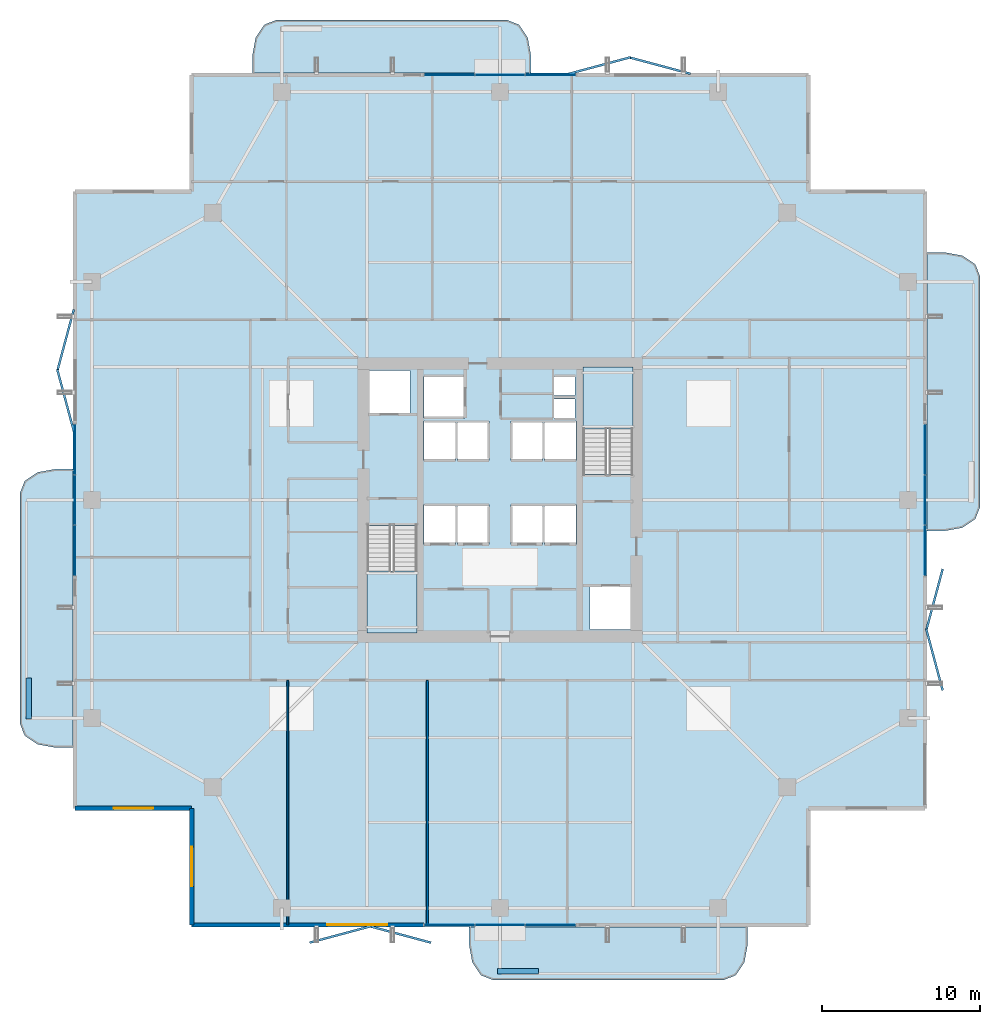
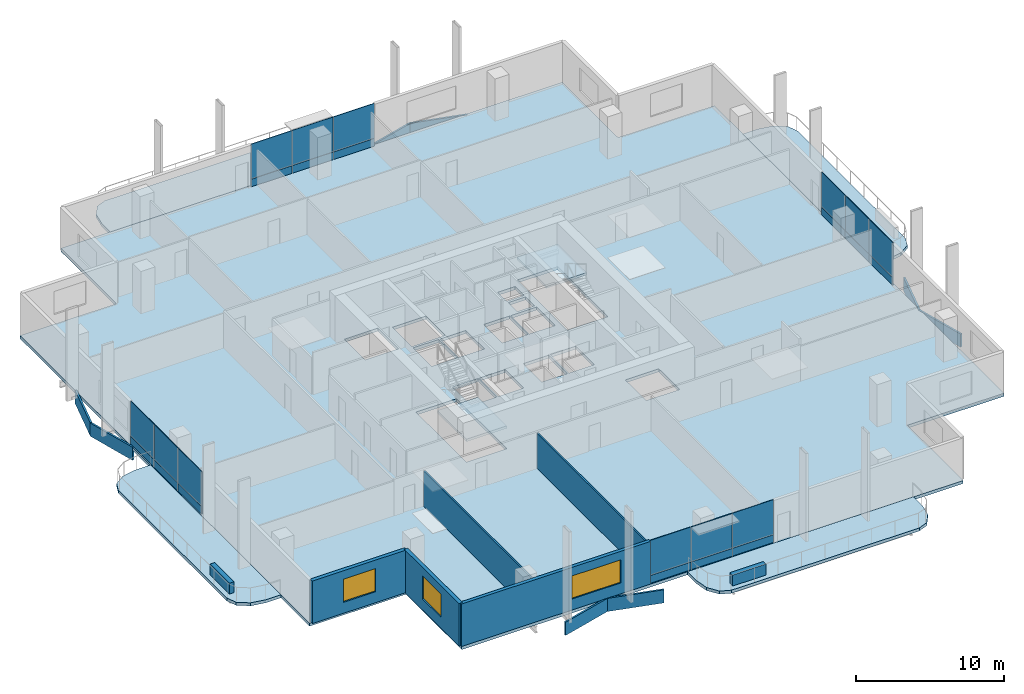
# One storey, part 16 of 24: 32 plates, 7 slabs, 7 walls, 3 windows, 3 openings, 6 elements without a shape of their own.
"""IFC4 building model written with IfcOpenShell, lengths in metres."""

from ifc_helpers import new_model, si_unit, direction, frame, frame_2d, origin, origin_2d, place, context, subcontext, project, spatial, polyline, rectangle, outline, extrude, material, layer, layer_set, type_object, element, fill, aggregate, save


model = new_model("IFC4")

# Units and contexts
model_context = context("Model", 3, precision=1e-05, world=origin(), true_north=direction((0.0, 1.0)))
body_context = subcontext(model_context, "Body", "Model", "MODEL_VIEW")
ifc_project = project(units=[si_unit("LENGTHUNIT", "METRE"), si_unit("AREAUNIT", "SQUARE_METRE"), si_unit("VOLUMEUNIT", "CUBIC_METRE"), si_unit("PLANEANGLEUNIT", "RADIAN"), si_unit("MASSUNIT", "GRAM", prefix="KILO")], contexts=[model_context])

# Site, building, storey
site_placement = place(None, origin())
site = spatial("IfcSite", under=ifc_project, at=site_placement, CompositionType="ELEMENT")
building_placement = place(site_placement, origin())
building = spatial("IfcBuilding", under=site, at=building_placement, Name="Belovzor Exchange Tower", CompositionType="ELEMENT")
storey_placement = place(building_placement, frame((0.0, 0.0, 233.699951171875)))
storey = spatial("IfcBuildingStorey", under=building, at=storey_placement, Name="L58", CompositionType="ELEMENT", Elevation=233.699951171875)

# Slab
ifc_material_1 = material(Name="Concrete C40/50", Category="concrete")
ifc_layer_1 = layer(ifc_material_1, 0.25)
ifc_layer_set_1 = layer_set([ifc_layer_1], Name="Concrete C40/50")
slab_type_1 = type_object("IfcSlabType", Name="Composite Concrete Floor Deck Slab 250", PredefinedType="FLOOR", material=ifc_layer_set_1)
slab_1_placement = place(storey_placement, frame((0.0, 0.0, -0.25)))
element("IfcSlab", 1, at=slab_1_placement, inside=storey, type_object=slab_type_1, Name="SL-F250 Structural Slab L58", PredefinedType="FLOOR", context=body_context, shape_type="SweptSolid", body=[
    extrude(outline(polyline([(9.300048828125, 1.800048828125), (48.300048828125, 1.800048828125), (48.300048828125, 9.300048828125), (55.800048828125, 9.300048828125), (55.800048828125, 48.300048828125), (48.300048828125, 48.300048828125), (48.300048828125, 55.800048828125), (9.300048828125, 55.800048828125), (9.300048828125, 48.300048828125), (1.800048828125, 48.300048828125), (1.800048828125, 9.300048828125), (9.300048828125, 9.300048828125), (9.300048828125, 1.800048828125)]), holes=[polyline([(20.39990234375, 27.175048828125), (20.39990234375, 20.39990234375), (23.550048828125, 20.39990234375), (23.550048828125, 27.175048828125), (20.39990234375, 27.175048828125)]), polyline([(37.199951171875, 30.425048828125), (37.199951171875, 37.199951171875), (34.050048828125, 37.199951171875), (34.050048828125, 30.425048828125), (37.199951171875, 30.425048828125)]), polyline([(20.5, 34.199951171875), (23.10009765625, 34.199951171875), (23.10009765625, 37.0), (20.5, 37.0), (20.5, 34.199951171875)]), polyline([(34.5, 20.60009765625), (37.10009765625, 20.60009765625), (37.10009765625, 23.39990234375), (34.5, 23.39990234375), (34.5, 20.60009765625)]), polyline([(24.0, 34.0), (26.60009765625, 34.0), (26.60009765625, 36.60009765625), (24.0, 36.60009765625), (24.0, 34.0)]), polyline([(24.0, 26.0), (26.0, 26.0), (26.0, 28.5), (24.0, 28.5), (24.0, 26.0)]), polyline([(26.10009765625, 26.0), (28.10009765625, 26.0), (28.10009765625, 28.5), (26.10009765625, 28.5), (26.10009765625, 26.0)]), polyline([(29.5, 26.0), (31.5, 26.0), (31.5, 28.5), (29.5, 28.5), (29.5, 26.0)]), polyline([(31.60009765625, 26.0), (33.60009765625, 26.0), (33.60009765625, 28.5), (31.60009765625, 28.5), (31.60009765625, 26.0)]), polyline([(24.0, 31.300048828125), (26.0, 31.300048828125), (26.0, 33.800048828125), (24.0, 33.800048828125), (24.0, 31.300048828125)]), polyline([(26.10009765625, 31.300048828125), (28.10009765625, 31.300048828125), (28.10009765625, 33.800048828125), (26.10009765625, 33.800048828125), (26.10009765625, 31.300048828125)]), polyline([(29.5, 31.300048828125), (31.5, 31.300048828125), (31.5, 33.800048828125), (29.5, 33.800048828125), (29.5, 31.300048828125)]), polyline([(31.60009765625, 31.300048828125), (33.60009765625, 31.300048828125), (33.60009765625, 33.800048828125), (31.60009765625, 33.800048828125), (31.60009765625, 31.300048828125)]), polyline([(32.199951171875, 34.0), (33.550048828125, 34.0), (33.550048828125, 35.199951171875), (32.199951171875, 35.199951171875), (32.199951171875, 34.0)]), polyline([(32.199951171875, 35.39990234375), (33.550048828125, 35.39990234375), (33.550048828125, 36.60009765625), (32.199951171875, 36.60009765625), (32.199951171875, 35.39990234375)])]), origin(), (0.0, 0.0, 1.0), 0.25),
])

# Curtain wall, plates
ifc_material_2 = material(Name="Anodised Aluminium Framing", Category="aluminium")
ifc_layer_2 = layer(ifc_material_2, 0.179931640625)
ifc_layer_set_2 = layer_set([ifc_layer_2], Name="Anodised Aluminium Framing")
curtain_wall_type = type_object("IfcCurtainWallType", Name="Recessed Loggia Low-Iron Triple-Glazed Curtain Wall", PredefinedType="NOTDEFINED", material=ifc_layer_set_2)
curtain_wall_1_placement = place(storey_placement, origin())
curtain_wall_1 = element("IfcCurtainWall", 2, at=curtain_wall_1_placement, inside=storey, type_object=curtain_wall_type, Name="CW3 Recessed Loggia Low-Iron Triple-Glazed Curtain Wall L58", PredefinedType="NOTDEFINED")
ifc_material_3 = material(Name="Solar-Control Triple Glazing", Category="glass")
ifc_layer_3 = layer(ifc_material_3, 0.0439453125)
ifc_layer_set_3 = layer_set([ifc_layer_3], Name="Solar-Control Triple Glazing")
plate_type_1 = type_object("IfcPlateType", Name="Insulated Solar Glazing Curtain Panel 44", PredefinedType="CURTAIN_PANEL", material=ifc_layer_set_3)
plate_1_placement = place(storey_placement, frame((32.0, 1.929931640625, 0.63232421875), z_axis=(0.0, 0.0, 1.0), x_axis=(-1.0, 0.0, 0.0)))
plate_1 = element("IfcPlate", 3, at=plate_1_placement, type_object=plate_type_1, Name="GLZ-44 Glazed Curtain Panel 1", PredefinedType="CURTAIN_PANEL", context=body_context, shape_type="SweptSolid", body=[
    extrude(rectangle(XDim=3.18408203125, YDim=0.0439453125, at=origin_2d()), origin(), (0.0, 0.0, 1.0), 2.867919921875),
])
plate_2_placement = place(storey_placement, frame((28.800048828125, 1.929931640625, 0.63232421875), z_axis=(0.0, 0.0, 1.0), x_axis=(-1.0, 0.0, 0.0)))
plate_2 = element("IfcPlate", 4, at=plate_2_placement, type_object=plate_type_1, Name="GLZ-44 Glazed Curtain Panel 2", PredefinedType="CURTAIN_PANEL", context=body_context, shape_type="SweptSolid", body=[
    extrude(rectangle(XDim=3.18408203125, YDim=0.0439453125, at=origin_2d()), origin(), (0.0, 0.0, 1.0), 2.867919921875),
])
plate_3_placement = place(storey_placement, frame((25.60009765625, 1.929931640625, 0.63232421875), z_axis=(0.0, 0.0, 1.0), x_axis=(-1.0, 0.0, 0.0)))
plate_3 = element("IfcPlate", 5, at=plate_3_placement, type_object=plate_type_1, Name="GLZ-44 Glazed Curtain Panel 3", PredefinedType="CURTAIN_PANEL", context=body_context, shape_type="SweptSolid", body=[
    extrude(rectangle(XDim=3.18408203125, YDim=0.0439453125, at=origin_2d()), origin(), (0.0, 0.0, 1.0), 2.867919921875),
])

curtain_wall_2_placement = place(storey_placement, origin())
curtain_wall_2 = element("IfcCurtainWall", 6, at=curtain_wall_2_placement, inside=storey, type_object=curtain_wall_type, Name="CW3 Recessed Loggia Low-Iron Triple-Glazed Curtain Wall L58", PredefinedType="NOTDEFINED")
plate_4_placement = place(storey_placement, frame((25.60009765625, 55.669921875, 0.63232421875), z_axis=(0.0, 0.0, 1.0), x_axis=(1.0, 0.0, 0.0)))
plate_4 = element("IfcPlate", 7, at=plate_4_placement, type_object=plate_type_1, Name="GLZ-44 Glazed Curtain Panel 1", PredefinedType="CURTAIN_PANEL", context=body_context, shape_type="SweptSolid", body=[
    extrude(rectangle(XDim=3.18408203125, YDim=0.0439453125, at=origin_2d()), origin(), (0.0, 0.0, 1.0), 2.867919921875),
])
plate_5_placement = place(storey_placement, frame((28.800048828125, 55.669921875, 0.63232421875), z_axis=(0.0, 0.0, 1.0), x_axis=(1.0, 0.0, 0.0)))
plate_5 = element("IfcPlate", 8, at=plate_5_placement, type_object=plate_type_1, Name="GLZ-44 Glazed Curtain Panel 2", PredefinedType="CURTAIN_PANEL", context=body_context, shape_type="SweptSolid", body=[
    extrude(rectangle(XDim=3.18408203125, YDim=0.0439453125, at=origin_2d()), origin(), (0.0, 0.0, 1.0), 2.867919921875),
])
plate_6_placement = place(storey_placement, frame((32.0, 55.669921875, 0.63232421875), z_axis=(0.0, 0.0, 1.0), x_axis=(1.0, 0.0, 0.0)))
plate_6 = element("IfcPlate", 9, at=plate_6_placement, type_object=plate_type_1, Name="GLZ-44 Glazed Curtain Panel 3", PredefinedType="CURTAIN_PANEL", context=body_context, shape_type="SweptSolid", body=[
    extrude(rectangle(XDim=3.18408203125, YDim=0.0439453125, at=origin_2d()), origin(), (0.0, 0.0, 1.0), 2.867919921875),
])

curtain_wall_3_placement = place(storey_placement, origin())
curtain_wall_3 = element("IfcCurtainWall", 10, at=curtain_wall_3_placement, inside=storey, type_object=curtain_wall_type, Name="CW3 Recessed Loggia Low-Iron Triple-Glazed Curtain Wall L58", PredefinedType="NOTDEFINED")
plate_7_placement = place(storey_placement, frame((1.929931640625, 25.60009765625, 0.63232421875), z_axis=(0.0, 0.0, 1.0), x_axis=(0.0, 1.0, 0.0)))
plate_7 = element("IfcPlate", 11, at=plate_7_placement, type_object=plate_type_1, Name="GLZ-44 Glazed Curtain Panel 1", PredefinedType="CURTAIN_PANEL", context=body_context, shape_type="SweptSolid", body=[
    extrude(rectangle(XDim=3.18408203125, YDim=0.0439453125, at=origin_2d()), origin(), (0.0, 0.0, 1.0), 2.867919921875),
])
plate_8_placement = place(storey_placement, frame((1.929931640625, 28.800048828125, 0.63232421875), z_axis=(0.0, 0.0, 1.0), x_axis=(0.0, 1.0, 0.0)))
plate_8 = element("IfcPlate", 12, at=plate_8_placement, type_object=plate_type_1, Name="GLZ-44 Glazed Curtain Panel 2", PredefinedType="CURTAIN_PANEL", context=body_context, shape_type="SweptSolid", body=[
    extrude(rectangle(XDim=3.18408203125, YDim=0.0439453125, at=origin_2d()), origin(), (0.0, 0.0, 1.0), 2.867919921875),
])
plate_9_placement = place(storey_placement, frame((1.929931640625, 32.0, 0.63232421875), z_axis=(0.0, 0.0, 1.0), x_axis=(0.0, 1.0, 0.0)))
plate_9 = element("IfcPlate", 13, at=plate_9_placement, type_object=plate_type_1, Name="GLZ-44 Glazed Curtain Panel 3", PredefinedType="CURTAIN_PANEL", context=body_context, shape_type="SweptSolid", body=[
    extrude(rectangle(XDim=3.18408203125, YDim=0.0439453125, at=origin_2d()), origin(), (0.0, 0.0, 1.0), 2.867919921875),
])

curtain_wall_4_placement = place(storey_placement, origin())
curtain_wall_4 = element("IfcCurtainWall", 14, at=curtain_wall_4_placement, inside=storey, type_object=curtain_wall_type, Name="CW3 Recessed Loggia Low-Iron Triple-Glazed Curtain Wall L58", PredefinedType="NOTDEFINED")
plate_10_placement = place(storey_placement, frame((55.669921875, 32.0, 0.63232421875), z_axis=(0.0, 0.0, 1.0), x_axis=(0.0, -1.0, 0.0)))
plate_10 = element("IfcPlate", 15, at=plate_10_placement, type_object=plate_type_1, Name="GLZ-44 Glazed Curtain Panel 1", PredefinedType="CURTAIN_PANEL", context=body_context, shape_type="SweptSolid", body=[
    extrude(rectangle(XDim=3.18408203125, YDim=0.0439453125, at=origin_2d()), origin(), (0.0, 0.0, 1.0), 2.867919921875),
])
plate_11_placement = place(storey_placement, frame((55.669921875, 28.800048828125, 0.63232421875), z_axis=(0.0, 0.0, 1.0), x_axis=(0.0, -1.0, 0.0)))
plate_11 = element("IfcPlate", 16, at=plate_11_placement, type_object=plate_type_1, Name="GLZ-44 Glazed Curtain Panel 2", PredefinedType="CURTAIN_PANEL", context=body_context, shape_type="SweptSolid", body=[
    extrude(rectangle(XDim=3.18408203125, YDim=0.0439453125, at=origin_2d()), origin(), (0.0, 0.0, 1.0), 2.867919921875),
])
plate_12_placement = place(storey_placement, frame((55.669921875, 25.60009765625, 0.63232421875), z_axis=(0.0, 0.0, 1.0), x_axis=(0.0, -1.0, 0.0)))
plate_12 = element("IfcPlate", 17, at=plate_12_placement, type_object=plate_type_1, Name="GLZ-44 Glazed Curtain Panel 3", PredefinedType="CURTAIN_PANEL", context=body_context, shape_type="SweptSolid", body=[
    extrude(rectangle(XDim=3.18408203125, YDim=0.0439453125, at=origin_2d()), origin(), (0.0, 0.0, 1.0), 2.867919921875),
])

# Plates
ifc_material_4 = material(Name="Extruded Architectural Terracotta", Category="masonry")
ifc_layer_4 = layer(ifc_material_4, 0.139892578125)
ifc_layer_set_4 = layer_set([ifc_layer_4], Name="Extruded Architectural Terracotta")
plate_type_2 = type_object("IfcPlateType", Name="Mid-Tower Folded Zigzag Terracotta Spandrel Louvre 120", PredefinedType="USERDEFINED", material=ifc_layer_set_4)
for number, where, z_axis, x_axis, name in (
    (18, (18.699951171875, 1.330078125, -1.06494140625), (0.0, 0.0, 1.0), (0.965812803231, 0.259240485101, 0.0), "LVR-ZZ2 Zigzag Terracotta Spandrel Louvre L58 S1A"),
    (19, (22.5, 1.330078125, -1.06494140625), (0.0, 0.0, 1.0), (0.965812803231, -0.259240485101, 0.0), "LVR-ZZ2 Zigzag Terracotta Spandrel Louvre L58 S1B"),
    (20, (56.27001953125, 18.699951171875, -1.06494140625), (0.0, 0.0, 1.0), (-0.259240485101, 0.965812803231, 0.0), "LVR-ZZ2 Zigzag Terracotta Spandrel Louvre L58 E1A"),
    (21, (56.27001953125, 22.5, -1.06494140625), (0.0, 0.0, 1.0), (0.259240485101, 0.965812803231, 0.0), "LVR-ZZ2 Zigzag Terracotta Spandrel Louvre L58 E1B"),
    (22, (35.10009765625, 56.27001953125, -1.06494140625), (0.0, 0.0, 1.0), (0.965812803231, 0.259240485101, 0.0), "LVR-ZZ2 Zigzag Terracotta Spandrel Louvre L58 N2A"),
    (23, (38.89990234375, 56.27001953125, -1.06494140625), (0.0, 0.0, 1.0), (0.965812803231, -0.259240485101, 0.0), "LVR-ZZ2 Zigzag Terracotta Spandrel Louvre L58 N2B"),
    (24, (1.330078125, 35.10009765625, -1.06494140625), (0.0, 0.0, 1.0), (-0.259240485101, 0.965812803231, 0.0), "LVR-ZZ2 Zigzag Terracotta Spandrel Louvre L58 W2A"),
    (25, (1.330078125, 38.89990234375, -1.06494140625), (0.0, 0.0, 1.0), (0.259240485101, 0.965812803231, 0.0), "LVR-ZZ2 Zigzag Terracotta Spandrel Louvre L58 W2B"),
):
    element("IfcPlate", number, at=place(storey_placement, frame(where, z_axis=z_axis, x_axis=x_axis)), inside=storey, type_object=plate_type_2, Name=name, ObjectType="SPANDREL_LOUVRE", PredefinedType="USERDEFINED", context=body_context, shape_type="SweptSolid", body=[
        extrude(rectangle(XDim=4.014892578125, YDim=0.139892578125, at=origin_2d()), origin(), (0.0, 0.0, 1.0), 1.080078125),
    ])

# Stair, slab
ifc_material_5 = material(Name="Concrete C40/50", Category="concrete")
stair_type = type_object("IfcStairType", Name="Reinforced Concrete Dogleg Escape Stair 1350", PredefinedType="HALF_TURN_STAIR", material=ifc_material_5)
stair_1_placement = place(storey_placement, origin())
stair_1 = element("IfcStair", 26, at=stair_1_placement, inside=storey, type_object=stair_type, Name="L58 ST-1", PredefinedType="HALF_TURN_STAIR")
ifc_material_6 = material(Name="Concrete C40/50", Category="concrete")
ifc_layer_5 = layer(ifc_material_6, 0.199951171875)
ifc_layer_set_5 = layer_set([ifc_layer_5], Name="Concrete C40/50")
slab_type_2 = type_object("IfcSlabType", Name="Reinforced Concrete Stair Half-Landing Slab 200", PredefinedType="LANDING", material=ifc_layer_set_5)
slab_2_placement = place(storey_placement, frame((0.0, 0.0, 1.675048828125)))
slab_2 = element("IfcSlab", 27, at=slab_2_placement, type_object=slab_type_2, Name="ST-1 landing 1", PredefinedType="LANDING", context=body_context, shape_type="SweptSolid", body=[
    extrude(outline(polyline([(20.39990234375, 24.300048828125), (20.39990234375, 20.39990234375), (23.550048828125, 20.39990234375), (23.550048828125, 24.300048828125), (20.39990234375, 24.300048828125)])), origin(), (0.0, 0.0, 1.0), 0.199951171875),
])
aggregate(stair_1, [slab_2])

stair_2_placement = place(storey_placement, origin())
stair_2 = element("IfcStair", 28, at=stair_2_placement, inside=storey, type_object=stair_type, Name="L58 ST-2", PredefinedType="HALF_TURN_STAIR")
slab_3_placement = place(storey_placement, frame((0.0, 0.0, 1.675048828125)))
slab_3 = element("IfcSlab", 29, at=slab_3_placement, type_object=slab_type_2, Name="ST-2 landing 1", PredefinedType="LANDING", context=body_context, shape_type="SweptSolid", body=[
    extrude(outline(polyline([(37.199951171875, 33.300048828125), (37.199951171875, 37.199951171875), (34.050048828125, 37.199951171875), (34.050048828125, 33.300048828125), (37.199951171875, 33.300048828125)])), origin(), (0.0, 0.0, 1.0), 0.199951171875),
])
aggregate(stair_2, [slab_3])

# Plate
ifc_material_7 = material(Name="Extruded Architectural Terracotta", Category="masonry")
ifc_layer_6 = layer(ifc_material_7, 0.090087890625)
ifc_layer_set_6 = layer_set([ifc_layer_6], Name="Extruded Architectural Terracotta")
plate_type_3 = type_object("IfcPlateType", Name="Terracotta Shadow-Box Spandrel Panel 90", PredefinedType="CURTAIN_PANEL", material=ifc_layer_set_6)
plate_13_placement = place(storey_placement, frame((32.0, 1.929931640625, 0.0), z_axis=(0.0, 0.0, 1.0), x_axis=(-1.0, 0.0, 0.0)))
plate_13 = element("IfcPlate", 30, at=plate_13_placement, type_object=plate_type_3, Name="SPD-90 Spandrel Panel 1", PredefinedType="CURTAIN_PANEL", context=body_context, shape_type="SweptSolid", body=[
    extrude(rectangle(XDim=3.18408203125, YDim=0.090087890625, at=origin_2d()), origin(), (0.0, 0.0, 1.0), 0.6279296875),
])

plate_14_placement = place(storey_placement, frame((28.800048828125, 1.929931640625, 0.0), z_axis=(0.0, 0.0, 1.0), x_axis=(-1.0, 0.0, 0.0)))
plate_14 = element("IfcPlate", 31, at=plate_14_placement, type_object=plate_type_3, Name="SPD-90 Spandrel Panel 2", PredefinedType="CURTAIN_PANEL", context=body_context, shape_type="SweptSolid", body=[
    extrude(rectangle(XDim=3.18408203125, YDim=0.090087890625, at=origin_2d()), origin(), (0.0, 0.0, 1.0), 0.6279296875),
])

plate_15_placement = place(storey_placement, frame((25.60009765625, 1.929931640625, 0.0), z_axis=(0.0, 0.0, 1.0), x_axis=(-1.0, 0.0, 0.0)))
plate_15 = element("IfcPlate", 32, at=plate_15_placement, type_object=plate_type_3, Name="SPD-90 Spandrel Panel 3", PredefinedType="CURTAIN_PANEL", context=body_context, shape_type="SweptSolid", body=[
    extrude(rectangle(XDim=3.18408203125, YDim=0.090087890625, at=origin_2d()), origin(), (0.0, 0.0, 1.0), 0.6279296875),
])

aggregate(curtain_wall_1, [plate_13, plate_1, plate_14, plate_2, plate_15, plate_3])

plate_16_placement = place(storey_placement, frame((25.60009765625, 55.669921875, 0.0), z_axis=(0.0, 0.0, 1.0), x_axis=(1.0, 0.0, 0.0)))
plate_16 = element("IfcPlate", 33, at=plate_16_placement, type_object=plate_type_3, Name="SPD-90 Spandrel Panel 1", PredefinedType="CURTAIN_PANEL", context=body_context, shape_type="SweptSolid", body=[
    extrude(rectangle(XDim=3.18408203125, YDim=0.090087890625, at=origin_2d()), origin(), (0.0, 0.0, 1.0), 0.6279296875),
])

plate_17_placement = place(storey_placement, frame((28.800048828125, 55.669921875, 0.0), z_axis=(0.0, 0.0, 1.0), x_axis=(1.0, 0.0, 0.0)))
plate_17 = element("IfcPlate", 34, at=plate_17_placement, type_object=plate_type_3, Name="SPD-90 Spandrel Panel 2", PredefinedType="CURTAIN_PANEL", context=body_context, shape_type="SweptSolid", body=[
    extrude(rectangle(XDim=3.18408203125, YDim=0.090087890625, at=origin_2d()), origin(), (0.0, 0.0, 1.0), 0.6279296875),
])

plate_18_placement = place(storey_placement, frame((32.0, 55.669921875, 0.0), z_axis=(0.0, 0.0, 1.0), x_axis=(1.0, 0.0, 0.0)))
plate_18 = element("IfcPlate", 35, at=plate_18_placement, type_object=plate_type_3, Name="SPD-90 Spandrel Panel 3", PredefinedType="CURTAIN_PANEL", context=body_context, shape_type="SweptSolid", body=[
    extrude(rectangle(XDim=3.18408203125, YDim=0.090087890625, at=origin_2d()), origin(), (0.0, 0.0, 1.0), 0.6279296875),
])

aggregate(curtain_wall_2, [plate_16, plate_4, plate_17, plate_5, plate_18, plate_6])

plate_19_placement = place(storey_placement, frame((1.929931640625, 25.60009765625, 0.0), z_axis=(0.0, 0.0, 1.0), x_axis=(0.0, 1.0, 0.0)))
plate_19 = element("IfcPlate", 36, at=plate_19_placement, type_object=plate_type_3, Name="SPD-90 Spandrel Panel 1", PredefinedType="CURTAIN_PANEL", context=body_context, shape_type="SweptSolid", body=[
    extrude(rectangle(XDim=3.18408203125, YDim=0.090087890625, at=origin_2d()), origin(), (0.0, 0.0, 1.0), 0.6279296875),
])

plate_20_placement = place(storey_placement, frame((1.929931640625, 28.800048828125, 0.0), z_axis=(0.0, 0.0, 1.0), x_axis=(0.0, 1.0, 0.0)))
plate_20 = element("IfcPlate", 37, at=plate_20_placement, type_object=plate_type_3, Name="SPD-90 Spandrel Panel 2", PredefinedType="CURTAIN_PANEL", context=body_context, shape_type="SweptSolid", body=[
    extrude(rectangle(XDim=3.18408203125, YDim=0.090087890625, at=origin_2d()), origin(), (0.0, 0.0, 1.0), 0.6279296875),
])

plate_21_placement = place(storey_placement, frame((1.929931640625, 32.0, 0.0), z_axis=(0.0, 0.0, 1.0), x_axis=(0.0, 1.0, 0.0)))
plate_21 = element("IfcPlate", 38, at=plate_21_placement, type_object=plate_type_3, Name="SPD-90 Spandrel Panel 3", PredefinedType="CURTAIN_PANEL", context=body_context, shape_type="SweptSolid", body=[
    extrude(rectangle(XDim=3.18408203125, YDim=0.090087890625, at=origin_2d()), origin(), (0.0, 0.0, 1.0), 0.6279296875),
])

aggregate(curtain_wall_3, [plate_19, plate_7, plate_20, plate_8, plate_21, plate_9])

plate_22_placement = place(storey_placement, frame((55.669921875, 32.0, 0.0), z_axis=(0.0, 0.0, 1.0), x_axis=(0.0, -1.0, 0.0)))
plate_22 = element("IfcPlate", 39, at=plate_22_placement, type_object=plate_type_3, Name="SPD-90 Spandrel Panel 1", PredefinedType="CURTAIN_PANEL", context=body_context, shape_type="SweptSolid", body=[
    extrude(rectangle(XDim=3.18408203125, YDim=0.090087890625, at=origin_2d()), origin(), (0.0, 0.0, 1.0), 0.6279296875),
])

plate_23_placement = place(storey_placement, frame((55.669921875, 28.800048828125, 0.0), z_axis=(0.0, 0.0, 1.0), x_axis=(0.0, -1.0, 0.0)))
plate_23 = element("IfcPlate", 40, at=plate_23_placement, type_object=plate_type_3, Name="SPD-90 Spandrel Panel 2", PredefinedType="CURTAIN_PANEL", context=body_context, shape_type="SweptSolid", body=[
    extrude(rectangle(XDim=3.18408203125, YDim=0.090087890625, at=origin_2d()), origin(), (0.0, 0.0, 1.0), 0.6279296875),
])

plate_24_placement = place(storey_placement, frame((55.669921875, 25.60009765625, 0.0), z_axis=(0.0, 0.0, 1.0), x_axis=(0.0, -1.0, 0.0)))
plate_24 = element("IfcPlate", 41, at=plate_24_placement, type_object=plate_type_3, Name="SPD-90 Spandrel Panel 3", PredefinedType="CURTAIN_PANEL", context=body_context, shape_type="SweptSolid", body=[
    extrude(rectangle(XDim=3.18408203125, YDim=0.090087890625, at=origin_2d()), origin(), (0.0, 0.0, 1.0), 0.6279296875),
])

aggregate(curtain_wall_4, [plate_22, plate_10, plate_23, plate_11, plate_24, plate_12])

# Slabs
ifc_material_8 = material(Name="Concrete C40/50", Category="concrete")
ifc_layer_7 = layer(ifc_material_8, 0.25)
ifc_layer_set_7 = layer_set([ifc_layer_7], Name="Concrete C40/50")
slab_type_3 = type_object("IfcSlabType", Name="Thermally Broken Planted Balcony Slab 250", PredefinedType="FLOOR", material=ifc_layer_set_7)
slab_4_placement = place(storey_placement, frame((0.0, 0.0, -0.25)))
element("IfcSlab", 42, at=slab_4_placement, inside=storey, type_object=slab_type_3, Name="SL-BAL220 Planted Balcony Loggia L58 South", PredefinedType="FLOOR", context=body_context, shape_type="SweptSolid", body=[
    extrude(outline(polyline([(26.85009765625, 1.81494140625), (26.85009765625, 0.64990234375), (27.051025390625, -0.449951171875), (27.60009765625, -1.2548828125), (28.35009765625, -1.550048828125), (42.949951171875, -1.550048828125), (43.699951171875, -1.2548828125), (44.2490234375, -0.449951171875), (44.449951171875, 0.64990234375), (44.449951171875, 1.81494140625), (26.85009765625, 1.81494140625)])), origin(), (0.0, 0.0, 1.0), 0.25),
])
slab_5_placement = place(storey_placement, frame((0.0, 0.0, -0.25)))
element("IfcSlab", 43, at=slab_5_placement, inside=storey, type_object=slab_type_3, Name="SL-BAL220 Planted Balcony Loggia L58 North", PredefinedType="FLOOR", context=body_context, shape_type="SweptSolid", body=[
    extrude(outline(polyline([(30.75, 55.784912109375), (30.75, 56.949951171875), (30.549072265625, 58.050048828125), (30.0, 58.85498046875), (29.25, 59.14990234375), (14.64990234375, 59.14990234375), (13.89990234375, 58.85498046875), (13.35107421875, 58.050048828125), (13.14990234375, 56.949951171875), (13.14990234375, 55.784912109375), (30.75, 55.784912109375)])), origin(), (0.0, 0.0, 1.0), 0.25),
])
slab_6_placement = place(storey_placement, frame((0.0, 0.0, -0.25)))
element("IfcSlab", 44, at=slab_6_placement, inside=storey, type_object=slab_type_3, Name="SL-BAL220 Planted Balcony Loggia L58 East", PredefinedType="FLOOR", context=body_context, shape_type="SweptSolid", body=[
    extrude(outline(polyline([(55.784912109375, 26.85009765625), (56.949951171875, 26.85009765625), (58.050048828125, 27.051025390625), (58.85498046875, 27.60009765625), (59.14990234375, 28.35009765625), (59.14990234375, 42.949951171875), (58.85498046875, 43.699951171875), (58.050048828125, 44.2490234375), (56.949951171875, 44.449951171875), (55.784912109375, 44.449951171875), (55.784912109375, 26.85009765625)])), origin(), (0.0, 0.0, 1.0), 0.25),
])
slab_7_placement = place(storey_placement, frame((0.0, 0.0, -0.25)))
element("IfcSlab", 45, at=slab_7_placement, inside=storey, type_object=slab_type_3, Name="SL-BAL220 Planted Balcony Loggia L58 West", PredefinedType="FLOOR", context=body_context, shape_type="SweptSolid", body=[
    extrude(outline(polyline([(1.81494140625, 30.75), (0.64990234375, 30.75), (-0.449951171875, 30.549072265625), (-1.2548828125, 30.0), (-1.550048828125, 29.25), (-1.550048828125, 14.64990234375), (-1.2548828125, 13.89990234375), (-0.449951171875, 13.35107421875), (0.64990234375, 13.14990234375), (1.81494140625, 13.14990234375), (1.81494140625, 30.75)])), origin(), (0.0, 0.0, 1.0), 0.25),
])

# Walls
ifc_material_9 = material(Name="Acoustic Plasterboard on Galvanised Studs", Category="gypsum")
ifc_layer_8 = layer(ifc_material_9, 0.1201171875)
ifc_layer_set_8 = layer_set([ifc_layer_8], Name="Acoustic Plasterboard on Galvanised Studs")
wall_type_1 = type_object("IfcWallType", Name="Acoustic Double-Stud Partition Wall 120", PredefinedType="PARTITIONING", material=ifc_layer_set_8)
for number, where, z_axis, x_axis, name in (
    (46, (15.3779296875, 1.929931640625, 0.0), (0.0, 0.0, 1.0), (0.0, 1.0, 0.0), "W-P120 Partition Wall W-L58-SDIV-1"),
    (47, (24.208984375, 1.929931640625, 0.0), (0.0, 0.0, 1.0), (0.0, 1.0, 0.0), "W-P120 Partition Wall W-L58-SDIV-2"),
):
    element("IfcWall", number, at=place(storey_placement, frame(where, z_axis=z_axis, x_axis=x_axis)), inside=storey, type_object=wall_type_1, Name=name, PredefinedType="PARTITIONING", context=body_context, shape_type="SweptSolid", body=[
        extrude(rectangle(XDim=15.469970703125, YDim=0.1201171875, at=frame_2d((7.73486328125, 0.0))), origin(), (0.0, 0.0, 1.0), 2.885009765625),
    ])

# Wall, opening, window
ifc_material_10 = material(Name="Precast concrete C40/50", Category="concrete")
ifc_layer_9 = layer(ifc_material_10, 0.280029296875)
ifc_layer_set_9 = layer_set([ifc_layer_9], Name="Precast concrete C40/50")
wall_type_2 = type_object("IfcWallType", Name="Precast Concrete Notched Corner Frame Wall 280", PredefinedType="SOLIDWALL", material=ifc_layer_set_9)
wall_1_placement = place(storey_placement, frame((9.300048828125, 1.929931640625, 0.0), z_axis=(0.0, 0.0, 1.0), x_axis=(0.0, 1.0, 0.0)))
wall_1 = element("IfcWall", 48, at=wall_1_placement, inside=storey, type_object=wall_type_2, Name="W-CRN280 Precast Concrete Notched Corner Frame Wall 280 L58", PredefinedType="SOLIDWALL", context=body_context, shape_type="SweptSolid", body=[
    extrude(rectangle(XDim=7.3701171875, YDim=0.280029296875, at=frame_2d((3.68505859375, 0.0))), origin(), (0.0, 0.0, 1.0), 3.5),
])
opening_1_placement = place(wall_1_placement, frame((2.43505859375, 0.0, 0.89990234375)))
opening_1 = element("IfcOpeningElement", 49, at=opening_1_placement, cuts=wall_1, Name="Opening WN-CRN250", PredefinedType="OPENING", context=body_context, shape_type="SweptSolid", body=[
    extrude(rectangle(XDim=2.5, YDim=1.89990234375, at=frame_2d((1.25, 0.949951171875))), frame((0.0, 0.14990234375, 0.0), z_axis=(0.0, -1.0, 0.0), x_axis=(1.0, 0.0, 0.0)), (0.0, 0.0, 1.0), 0.300048828125),
])
ifc_material_11 = material(Name="Thermally Broken Aluminium and Triple Glazing", Category="aluminium")
window_type_1 = type_object("IfcWindowType", Name="Streamline Moderne Corner Wrap Ribbon Window 2500x1900", PartitioningType="SINGLE_PANEL", PredefinedType="WINDOW", material=ifc_material_11)
window_1_placement = place(opening_1_placement, origin())
window_1 = element("IfcWindow", 50, at=window_1_placement, inside=storey, type_object=window_type_1, Name="WN-CRN250 Streamline Moderne Corner Wrap Ribbon Window 2500x1900", OverallHeight=1.89990234375, OverallWidth=2.5, PartitioningType="SINGLE_PANEL", PredefinedType="WINDOW", context=body_context, shape_type="SweptSolid", body=[
    extrude(rectangle(XDim=2.5, YDim=1.89990234375, at=frame_2d((1.25, 0.949951171875))), frame((0.0, 0.030029296875, 0.0), z_axis=(0.0, -1.0, 0.0), x_axis=(1.0, 0.0, 0.0)), (0.0, 0.0, 1.0), 0.06005859375),
])
fill(opening_1, window_1)

wall_2_placement = place(storey_placement, frame((9.300048828125, 9.300048828125, 0.0), z_axis=(0.0, 0.0, 1.0), x_axis=(-1.0, 0.0, 0.0)))
wall_2 = element("IfcWall", 51, at=wall_2_placement, inside=storey, type_object=wall_type_2, Name="W-CRN280 Precast Concrete Notched Corner Frame Wall 280 L58", PredefinedType="SOLIDWALL", context=body_context, shape_type="SweptSolid", body=[
    extrude(rectangle(XDim=7.3701171875, YDim=0.280029296875, at=frame_2d((3.68505859375, 0.0))), origin(), (0.0, 0.0, 1.0), 3.5),
])
opening_2_placement = place(wall_2_placement, frame((2.43505859375, 0.0, 0.89990234375)))
opening_2 = element("IfcOpeningElement", 52, at=opening_2_placement, cuts=wall_2, Name="Opening WN-CRN250", PredefinedType="OPENING", context=body_context, shape_type="SweptSolid", body=[
    extrude(rectangle(XDim=2.5, YDim=1.89990234375, at=frame_2d((1.25, 0.949951171875))), frame((0.0, 0.14990234375, 0.0), z_axis=(0.0, -1.0, 0.0), x_axis=(1.0, 0.0, 0.0)), (0.0, 0.0, 1.0), 0.300048828125),
])
window_2_placement = place(opening_2_placement, origin())
window_2 = element("IfcWindow", 53, at=window_2_placement, inside=storey, type_object=window_type_1, Name="WN-CRN250 Streamline Moderne Corner Wrap Ribbon Window 2500x1900", OverallHeight=1.89990234375, OverallWidth=2.5, PartitioningType="SINGLE_PANEL", PredefinedType="WINDOW", context=body_context, shape_type="SweptSolid", body=[
    extrude(rectangle(XDim=2.5, YDim=1.89990234375, at=frame_2d((1.25, 0.949951171875))), frame((0.0, 0.030029296875, 0.0), z_axis=(0.0, -1.0, 0.0), x_axis=(1.0, 0.0, 0.0)), (0.0, 0.0, 1.0), 0.06005859375),
])
fill(opening_2, window_2)

ifc_material_12 = material(Name="Precast concrete C40/50", Category="concrete")
ifc_layer_10 = layer(ifc_material_12, 0.260009765625)
ifc_layer_set_10 = layer_set([ifc_layer_10], Name="Precast concrete C40/50")
wall_type_3 = type_object("IfcWallType", Name="Precast Concrete Perimeter Loggia Frame Wall 260", PredefinedType="SOLIDWALL", material=ifc_layer_set_10)
wall_3_placement = place(storey_placement, frame((24.0, 1.929931640625, 0.0), z_axis=(0.0, 0.0, 1.0), x_axis=(-1.0, 0.0, 0.0)))
wall_3 = element("IfcWall", 54, at=wall_3_placement, inside=storey, type_object=wall_type_3, Name="W-EXT260 Precast Concrete Perimeter Loggia Frame Wall 260 L58", PredefinedType="SOLIDWALL", context=body_context, shape_type="SweptSolid", body=[
    extrude(rectangle(XDim=14.699951171875, YDim=0.260009765625, at=frame_2d((7.35009765625, 0.0))), origin(), (0.0, 0.0, 1.0), 3.5),
])
opening_3_placement = place(wall_3_placement, frame((2.330078125, 0.0, 0.89990234375)))
opening_3 = element("IfcOpeningElement", 55, at=opening_3_placement, cuts=wall_3, Name="Opening WN-RIB380", PredefinedType="OPENING", context=body_context, shape_type="SweptSolid", body=[
    extrude(rectangle(XDim=3.800048828125, YDim=1.89990234375, at=frame_2d((1.89990234375, 0.949951171875))), frame((0.0, 0.139892578125, 0.0), z_axis=(0.0, -1.0, 0.0), x_axis=(1.0, 0.0, 0.0)), (0.0, 0.0, 1.0), 0.280029296875),
])
ifc_material_13 = material(Name="Thermally Broken Aluminium and Triple Glazing", Category="aluminium")
window_type_2 = type_object("IfcWindowType", Name="Streamline Moderne Horizontal Ribbon Window 3800x1900", PartitioningType="SINGLE_PANEL", PredefinedType="WINDOW", material=ifc_material_13)
window_3_placement = place(opening_3_placement, origin())
window_3 = element("IfcWindow", 56, at=window_3_placement, inside=storey, type_object=window_type_2, Name="WN-RIB380 Streamline Moderne Horizontal Ribbon Window 3800x1900", OverallHeight=1.89990234375, OverallWidth=3.800048828125, PartitioningType="SINGLE_PANEL", PredefinedType="WINDOW", context=body_context, shape_type="SweptSolid", body=[
    extrude(rectangle(XDim=3.800048828125, YDim=1.89990234375, at=frame_2d((1.89990234375, 0.949951171875))), frame((0.0, 0.030029296875, 0.0), z_axis=(0.0, -1.0, 0.0), x_axis=(1.0, 0.0, 0.0)), (0.0, 0.0, 1.0), 0.06005859375),
])
fill(opening_3, window_3)

# Walls
ifc_material_14 = material(Name="Precast concrete C40/50", Category="concrete")
ifc_layer_11 = layer(ifc_material_14, 0.35009765625)
ifc_layer_set_11 = layer_set([ifc_layer_11], Name="Precast concrete C40/50")
wall_type_4 = type_object("IfcWallType", Name="Precast Concrete Structural Tree Planter Trough 350", PredefinedType="PARAPET", material=ifc_layer_set_11)
for number, where, z_axis, x_axis, name in (
    (57, (28.64990234375, -1.0, 0.0), (0.0, 0.0, 1.0), (1.0, 0.0, 0.0), "PT-350 Precast Concrete Structural Tree Planter Trough 350 L58"),
    (58, (-1.0, 14.949951171875, 0.0), (0.0, 0.0, 1.0), (0.0, 1.0, 0.0), "PT-350 Precast Concrete Structural Tree Planter Trough 350 L58"),
):
    element("IfcWall", number, at=place(storey_placement, frame(where, z_axis=z_axis, x_axis=x_axis)), inside=storey, type_object=wall_type_4, Name=name, PredefinedType="PARAPET", context=body_context, shape_type="SweptSolid", body=[
        extrude(rectangle(XDim=2.60009765625, YDim=0.35009765625, at=frame_2d((1.300048828125, 0.0))), origin(), (0.0, 0.0, 1.0), 0.900146484375),
    ])

save(model, "model.ifc")
